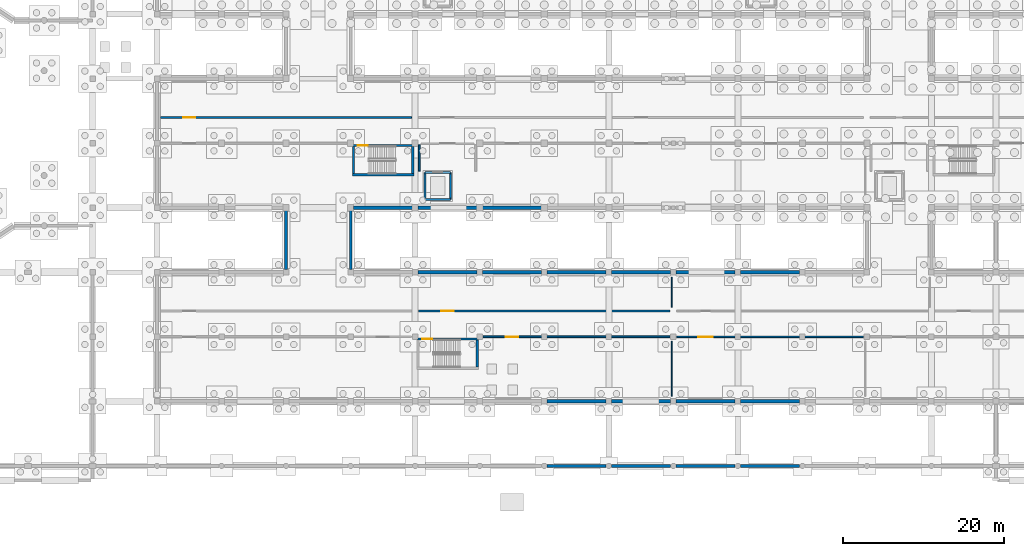
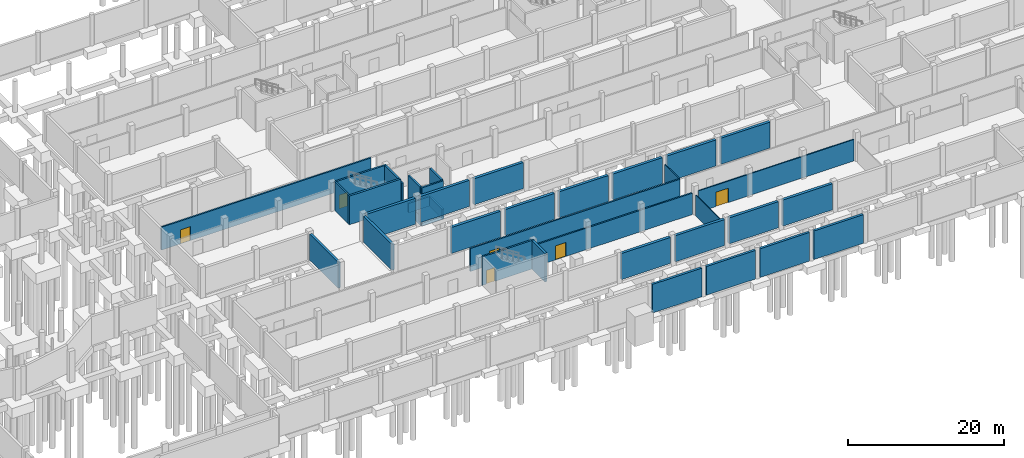
# One storey, part 38 of 51: 39 walls, 6 doors, 6 openings.
"""IFC4 building model written with IfcOpenShell, lengths in metres."""

import ifcopenshell
import ifcopenshell.guid

model = None  # the IFC model being written
_history = None  # IfcOwnerHistory: only IFC2X3 demands one
_inside = {}  # id of a spatial element -> (the spatial element, [elements in it])
_under = {}  # id of a project, library or spatial element -> (it, [spatial elements below it])
_declared = {}  # id of a project -> (the project, [libraries it declares])
_typed = {}  # id of a type object -> (the type object, [elements of that type])
_made_of = {}  # id of a material, layer set ... -> (it, [elements and type objects made of it])


def new_model(schema):
    """Start an empty IFC model of exactly this schema.

    Asked for "IFC4X3", IfcOpenShell would pick the latest addendum, in which some entities
    have other attributes; the version numbers below select the first issue.
    IFC2X3 requires an IfcOwnerHistory on every rooted entity: one is made here for all.
    """
    global model, _history
    if schema == "IFC4X3":
        model = ifcopenshell.file(schema_version=(4, 3, 0, 0))
    else:
        model = ifcopenshell.file(schema=schema)
    _inside.clear()
    _under.clear()
    _declared.clear()
    _typed.clear()
    _made_of.clear()
    _history = None
    if model.schema == "IFC2X3":
        org = make("IfcOrganization", Name="unknown")
        user = make(
            "IfcPersonAndOrganization",
            ThePerson=make("IfcPerson", FamilyName="unknown"),
            TheOrganization=org,
        )
        app = make(
            "IfcApplication",
            ApplicationDeveloper=org,
            Version="unknown",
            ApplicationFullName="unknown",
            ApplicationIdentifier="unknown",
        )
        _history = make(
            "IfcOwnerHistory",
            OwningUser=user,
            OwningApplication=app,
            ChangeAction="ADDED",
            CreationDate=0,
        )
    return model


def make(cls, **values):
    """One entity of the class cls with the attributes given. An attribute that is None is left unset."""
    return model.create_entity(
        cls, **{name: value for name, value in values.items() if value is not None}
    )


def rooted(cls, **values):
    """An entity with a GlobalId (a new one), such as an element, a storey or a relation."""
    return make(cls, GlobalId=ifcopenshell.guid.new(), OwnerHistory=_history, **values)


def si_unit(unit_type, name, prefix=None):
    """IfcSIUnit, for example si_unit("LENGTHUNIT", "METRE", prefix="MILLI")."""
    return make("IfcSIUnit", UnitType=unit_type, Prefix=prefix, Name=name)


def assignment(units):
    """IfcUnitAssignment: the units of a project."""
    return None if units is None else make("IfcUnitAssignment", Units=units)


def point(xyz):
    """IfcCartesianPoint."""
    return None if xyz is None else make("IfcCartesianPoint", Coordinates=xyz)


def direction(xyz):
    """IfcDirection."""
    return None if xyz is None else make("IfcDirection", DirectionRatios=xyz)


def frame(location, z_axis=None, x_axis=None):
    """IfcAxis2Placement3D, a coordinate frame: its origin and axes. An axis left out is left unset."""
    return make(
        "IfcAxis2Placement3D",
        Location=point(location),
        Axis=direction(z_axis),
        RefDirection=direction(x_axis),
    )


def frame_2d(location, x_axis=None):
    """IfcAxis2Placement2D, a coordinate frame in the plane: its origin and x axis."""
    return make(
        "IfcAxis2Placement2D", Location=point(location), RefDirection=direction(x_axis)
    )


def origin():
    """The frame at (0, 0, 0) with its axes left unset."""
    return frame((0.0, 0.0, 0.0))


def place(relative_to, where):
    """IfcLocalPlacement: puts the frame where relative to a parent placement (None: the world)."""
    return make(
        "IfcLocalPlacement", PlacementRelTo=relative_to, RelativePlacement=where
    )


def context(
    kind, dimensions, precision=None, world=None, true_north=None, identifier=None
):
    """IfcGeometricRepresentationContext, for example the 3D "Model" context."""
    return make(
        "IfcGeometricRepresentationContext",
        ContextIdentifier=identifier,
        ContextType=kind,
        CoordinateSpaceDimension=dimensions,
        Precision=precision,
        WorldCoordinateSystem=world,
        TrueNorth=true_north,
    )


def subcontext(parent, identifier, kind, view, scale=None):
    """IfcGeometricRepresentationSubContext, for example "Body" below "Model"."""
    return make(
        "IfcGeometricRepresentationSubContext",
        ContextIdentifier=identifier,
        ContextType=kind,
        ParentContext=parent,
        TargetScale=scale,
        TargetView=view,
    )


def project(units=None, contexts=None):
    """IfcProject with its units and contexts."""
    return rooted(
        "IfcProject",
        Name="project",
        RepresentationContexts=contexts,
        UnitsInContext=assignment(units),
    )


def spatial(cls, under=None, at=None, **own):
    """A site, building, storey or space (cls), placed at a placement, below another one or the project."""
    s = rooted(cls, ObjectPlacement=at, **own)
    if under is not None:
        _under.setdefault(under.id(), (under, []))[1].append(s)
    return s


def profile(cls, at=None, kind="AREA", **sizes):
    """A parametric profile (cls). Its sizes go by their IFC names, for example OverallWidth=200.0."""
    return make(cls, ProfileType=kind, Position=at, **sizes)


def rectangle(**sizes):
    """IfcRectangleProfileDef."""
    return profile("IfcRectangleProfileDef", **sizes)


def extrude(swept, where, along, depth):
    """IfcExtrudedAreaSolid: the profile swept, set in the frame where, extruded along a direction by depth."""
    return make(
        "IfcExtrudedAreaSolid",
        SweptArea=swept,
        Position=where,
        ExtrudedDirection=direction(along),
        Depth=depth,
    )


def shape(context_of_items, identifier, shape_type, items):
    """IfcShapeRepresentation: the items that make up one representation, for example the "Body"."""
    return make(
        "IfcShapeRepresentation",
        ContextOfItems=context_of_items,
        RepresentationIdentifier=identifier,
        RepresentationType=shape_type,
        Items=items,
    )


def material(Name=None, Category=None):
    """IfcMaterial."""
    return make("IfcMaterial", Name=Name, Category=Category)


def layer(
    of_material, thickness, ventilated=None, Name=None, Category=None, Priority=None
):
    """IfcMaterialLayer: one layer of a wall or slab, of a material (None: an air gap)."""
    return make(
        "IfcMaterialLayer",
        Material=of_material,
        LayerThickness=thickness,
        IsVentilated=ventilated,
        Name=Name,
        Category=Category,
        Priority=Priority,
    )


def layer_set(layers, Name=None):
    """IfcMaterialLayerSet."""
    return make("IfcMaterialLayerSet", MaterialLayers=layers, LayerSetName=Name)


def made_of(thing, what):
    """Note that an element or type object is made of a material, layer set ...; save() writes the relation."""
    if what is not None:
        _made_of.setdefault(what.id(), (what, []))[1].append(thing)
    return thing


def type_object(cls, material=None, **own):
    """A type object (cls), such as IfcWallType, which elements share."""
    return made_of(rooted(cls, **own), material)


def element(
    cls,
    number,
    at=None,
    inside=None,
    cuts=None,
    type_object=None,
    material=None,
    context=None,
    identifier="Body",
    shape_type=None,
    held_by="IfcProductDefinitionShape",
    body=None,
    shapes=None,
    **own,
):
    """One element of the class cls, such as IfcWall. Its Tag is "e" and its number.

    at: its placement. inside: the storey or other place that contains it. cuts: it is an
    opening in that element (IfcRelVoidsElement). A single representation is given by context,
    identifier, shape_type and body (its items); several are given by shapes. held_by: the class
    of the entity that holds the representations. save() writes the other relations.
    """
    e = rooted(cls, Tag="e%d" % number, ObjectPlacement=at, **own)
    if body is not None:
        shapes = [shape(context, identifier, shape_type, body)]
    if shapes is not None:
        e.Representation = make(held_by, Representations=shapes)
    if inside is not None:
        _inside.setdefault(inside.id(), (inside, []))[1].append(e)
    if cuts is not None:
        rooted(
            "IfcRelVoidsElement", RelatingBuildingElement=cuts, RelatedOpeningElement=e
        )
    if type_object is not None:
        _typed.setdefault(type_object.id(), (type_object, []))[1].append(e)
    return made_of(e, material)


def fill(opening, filler):
    """IfcRelFillsElement: the door or window that sits in an opening."""
    return rooted(
        "IfcRelFillsElement",
        RelatingOpeningElement=opening,
        RelatedBuildingElement=filler,
    )


def aggregate(whole, parts):
    """IfcRelAggregates: a whole, such as a stair, and the parts it consists of."""
    return rooted("IfcRelAggregates", RelatingObject=whole, RelatedObjects=parts)


def save(model, path):
    """Write the relations noted so far, then the file.

    IfcRelAggregates (storeys below a building ...), IfcRelContainedInSpatialStructure (elements
    in a storey), IfcRelDefinesByType, IfcRelAssociatesMaterial and IfcRelDeclares: one each for
    every whole, place, type object, material and project.
    """
    for whole, parts in _under.values():
        aggregate(whole, parts)
    for where, things in _inside.values():
        rooted(
            "IfcRelContainedInSpatialStructure",
            RelatedElements=things,
            RelatingStructure=where,
        )
    for kind, things in _typed.values():
        rooted("IfcRelDefinesByType", RelatedObjects=things, RelatingType=kind)
    for what, things in _made_of.values():
        rooted("IfcRelAssociatesMaterial", RelatedObjects=things, RelatingMaterial=what)
    for by, libraries in _declared.values():
        rooted("IfcRelDeclares", RelatingContext=by, RelatedDefinitions=libraries)
    model.write(path)


model = new_model("IFC4")

# Units and contexts
model_context = context("Model", 3, precision=1e-05, world=origin(), true_north=direction((0.0, 1.0)))
body_context = subcontext(model_context, "Body", "Model", "MODEL_VIEW")
ifc_project = project(units=[si_unit("LENGTHUNIT", "METRE"), si_unit("AREAUNIT", "SQUARE_METRE"), si_unit("VOLUMEUNIT", "CUBIC_METRE"), si_unit("PLANEANGLEUNIT", "RADIAN"), si_unit("MASSUNIT", "GRAM", prefix="KILO")], contexts=[model_context])

# Site, building, storey
site_placement = place(None, origin())
site = spatial("IfcSite", under=ifc_project, at=site_placement, CompositionType="ELEMENT")
building_placement = place(site_placement, origin())
building = spatial("IfcBuilding", under=site, at=building_placement, Name="Jelvoka-Kovrelna Polytechnic", CompositionType="ELEMENT")
storey_placement = place(building_placement, frame((0.0, 0.0, -4.5)))
storey = spatial("IfcBuildingStorey", under=building, at=storey_placement, Name="B01", CompositionType="ELEMENT", Elevation=-4.5)

# Wall
ifc_material_1 = material(Name="Concrete C35/45", Category="concrete")
ifc_layer_1 = layer(ifc_material_1, 0.219970703125)
ifc_layer_set_1 = layer_set([ifc_layer_1], Name="Concrete C35/45")
wall_type_1 = type_object("IfcWallType", Name="Wall_Compartment_220", PredefinedType="PARTITIONING", material=ifc_layer_set_1)
wall_1_placement = place(storey_placement, frame((88.5, 36.550048828125, 0.0), z_axis=(0.0, 0.0, 1.0), x_axis=(0.0, 1.0, 0.0)))
element("IfcWall", 1, at=wall_1_placement, inside=storey, type_object=wall_type_1, Name="B01 interior wall 0404", PredefinedType="PARTITIONING", context=body_context, shape_type="SweptSolid", body=[
    extrude(rectangle(XDim=3.25, YDim=0.219970703125, at=frame_2d((1.625, 0.0))), origin(), (0.0, 0.0, 1.0), 3.27001953125),
])

# Wall, opening, door
wall_2_placement = place(storey_placement, frame((96.429931640625, 16.0, 0.0), z_axis=(0.0, 0.0, 1.0), x_axis=(1.0, 0.0, 0.0)))
wall_2 = element("IfcWall", 2, at=wall_2_placement, inside=storey, type_object=wall_type_1, Name="B01 interior wall 0801", PredefinedType="PARTITIONING", context=body_context, shape_type="SweptSolid", body=[
    extrude(rectangle(XDim=23.14013671875, YDim=0.219970703125, at=frame_2d((11.570068359375, 0.0))), origin(), (0.0, 0.0, 1.0), 3.3701171875),
])
opening_1_placement = place(wall_2_placement, frame((2.820068359375, 0.0, 0.0)))
opening_1 = element("IfcOpeningElement", 3, at=opening_1_placement, cuts=wall_2, Name="Opening D-B01-120", PredefinedType="OPENING", context=body_context, shape_type="SweptSolid", body=[
    extrude(rectangle(XDim=1.5, YDim=2.199951171875, at=frame_2d((0.75, 1.10009765625))), frame((0.0, 0.119873046875, 0.0), z_axis=(0.0, -1.0, 0.0), x_axis=(1.0, 0.0, 0.0)), (0.0, 0.0, 1.0), 0.239990234375),
])
ifc_material_2 = material(Name="Paired steel stair lobby fire door", Category="steel")
door_type_1 = type_object("IfcDoorType", Name="Door_Fire_FD04", OperationType="NOTDEFINED", PredefinedType="DOOR", material=ifc_material_2)
door_1_placement = place(opening_1_placement, origin())
door_1 = element("IfcDoor", 4, at=door_1_placement, inside=storey, type_object=door_type_1, Name="B01 interior door D-B01-120", OperationType="DOUBLE_DOOR_SINGLE_SWING", OverallHeight=2.199951171875, OverallWidth=1.5, PredefinedType="DOOR", context=body_context, shape_type="SweptSolid", body=[
    extrude(rectangle(XDim=1.5, YDim=2.199951171875, at=frame_2d((0.75, 1.10009765625))), frame((0.0, 0.02490234375, 0.0), z_axis=(0.0, -1.0, 0.0), x_axis=(1.0, 0.0, 0.0)), (0.0, 0.0, 1.0), 0.050048828125),
])
fill(opening_1, door_1)

wall_3_placement = place(storey_placement, frame((88.429931640625, 19.199951171875, 0.0), z_axis=(0.0, 0.0, 1.0), x_axis=(1.0, 0.0, 0.0)))
wall_3 = element("IfcWall", 5, at=wall_3_placement, inside=storey, type_object=wall_type_1, Name="B01 interior wall 0810", PredefinedType="PARTITIONING", context=body_context, shape_type="SweptSolid", body=[
    extrude(rectangle(XDim=31.14013671875, YDim=0.219970703125, at=frame_2d((15.570068359375, 0.0))), origin(), (0.0, 0.0, 1.0), 3.60009765625),
])
opening_2_placement = place(wall_3_placement, frame((2.820068359375, 0.0, 0.0)))
opening_2 = element("IfcOpeningElement", 6, at=opening_2_placement, cuts=wall_3, Name="Opening D-B01-126", PredefinedType="OPENING", context=body_context, shape_type="SweptSolid", body=[
    extrude(rectangle(XDim=1.5, YDim=2.199951171875, at=frame_2d((0.75, 1.10009765625))), frame((0.0, 0.119873046875, 0.0), z_axis=(0.0, -1.0, 0.0), x_axis=(1.0, 0.0, 0.0)), (0.0, 0.0, 1.0), 0.239990234375),
])
door_2_placement = place(opening_2_placement, origin())
door_2 = element("IfcDoor", 7, at=door_2_placement, inside=storey, type_object=door_type_1, Name="B01 interior door D-B01-126", OperationType="DOUBLE_DOOR_SINGLE_SWING", OverallHeight=2.199951171875, OverallWidth=1.5, PredefinedType="DOOR", context=body_context, shape_type="SweptSolid", body=[
    extrude(rectangle(XDim=1.5, YDim=2.199951171875, at=frame_2d((0.75, 1.10009765625))), frame((0.0, 0.02490234375, 0.0), z_axis=(0.0, -1.0, 0.0), x_axis=(1.0, 0.0, 0.0)), (0.0, 0.0, 1.0), 0.050048828125),
])
fill(opening_2, door_2)

wall_4_placement = place(storey_placement, frame((56.429931640625, 43.199951171875, 0.0), z_axis=(0.0, 0.0, 1.0), x_axis=(1.0, 0.0, 0.0)))
wall_4 = element("IfcWall", 8, at=wall_4_placement, inside=storey, type_object=wall_type_1, Name="B01 interior wall 0819", PredefinedType="PARTITIONING", context=body_context, shape_type="SweptSolid", body=[
    extrude(rectangle(XDim=31.14013671875, YDim=0.219970703125, at=frame_2d((15.570068359375, 0.0))), origin(), (0.0, 0.0, 1.0), 3.60009765625),
])
opening_3_placement = place(wall_4_placement, frame((2.820068359375, 0.0, 0.0)))
opening_3 = element("IfcOpeningElement", 9, at=opening_3_placement, cuts=wall_4, Name="Opening D-B01-132", PredefinedType="OPENING", context=body_context, shape_type="SweptSolid", body=[
    extrude(rectangle(XDim=1.5, YDim=2.199951171875, at=frame_2d((0.75, 1.10009765625))), frame((0.0, 0.119873046875, 0.0), z_axis=(0.0, -1.0, 0.0), x_axis=(1.0, 0.0, 0.0)), (0.0, 0.0, 1.0), 0.239990234375),
])
door_3_placement = place(opening_3_placement, origin())
door_3 = element("IfcDoor", 10, at=door_3_placement, inside=storey, type_object=door_type_1, Name="B01 interior door D-B01-132", OperationType="DOUBLE_DOOR_SINGLE_SWING", OverallHeight=2.199951171875, OverallWidth=1.5, PredefinedType="DOOR", context=body_context, shape_type="SweptSolid", body=[
    extrude(rectangle(XDim=1.5, YDim=2.199951171875, at=frame_2d((0.75, 1.10009765625))), frame((0.0, 0.02490234375, 0.0), z_axis=(0.0, -1.0, 0.0), x_axis=(1.0, 0.0, 0.0)), (0.0, 0.0, 1.0), 0.050048828125),
])
fill(opening_3, door_3)

ifc_material_3 = material(Name="Concrete C40/50", Category="concrete")
ifc_layer_2 = layer(ifc_material_3, 0.25)
ifc_layer_set_2 = layer_set([ifc_layer_2], Name="Concrete C40/50")
wall_type_2 = type_object("IfcWallType", Name="Wall_Core_250", PredefinedType="SOLIDWALL", material=ifc_layer_set_2)
wall_5_placement = place(storey_placement, frame((88.199951171875, 15.739990234375, 0.0), z_axis=(0.0, 0.0, 1.0), x_axis=(1.0, 0.0, 0.0)))
wall_5 = element("IfcWall", 11, at=wall_5_placement, inside=storey, type_object=wall_type_2, Name="B01 interior wall 0063", PredefinedType="SOLIDWALL", context=body_context, shape_type="SweptSolid", body=[
    extrude(rectangle(XDim=7.650146484375, YDim=0.25, at=frame_2d((3.8251953125, 0.0))), origin(), (0.0, 0.0, 1.0), 4.5),
])
opening_4_placement = place(wall_5_placement, frame((0.64990234375, 0.0, 0.0)))
opening_4 = element("IfcOpeningElement", 12, at=opening_4_placement, cuts=wall_5, Name="Opening SD-B01-016", PredefinedType="OPENING", context=body_context, shape_type="SweptSolid", body=[
    extrude(rectangle(XDim=1.25, YDim=2.14990234375, at=frame_2d((0.625, 1.074951171875))), frame((0.0, 0.135009765625, 0.0), z_axis=(0.0, -1.0, 0.0), x_axis=(1.0, 0.0, 0.0)), (0.0, 0.0, 1.0), 0.27001953125),
])
ifc_material_4 = material(Name="Powder-coated steel fire door", Category="steel")
door_type_2 = type_object("IfcDoorType", Name="Door_Fire_FD02", OperationType="NOTDEFINED", PredefinedType="DOOR", material=ifc_material_4)
door_4_placement = place(opening_4_placement, origin())
door_4 = element("IfcDoor", 13, at=door_4_placement, inside=storey, type_object=door_type_2, Name="B01 interior door SD-B01-016", OperationType="SINGLE_SWING_LEFT", OverallHeight=2.14990234375, OverallWidth=1.25, PredefinedType="DOOR", context=body_context, shape_type="SweptSolid", body=[
    extrude(rectangle(XDim=1.25, YDim=2.14990234375, at=frame_2d((0.625, 1.074951171875))), frame((0.0, 0.02490234375, 0.0), z_axis=(0.0, -1.0, 0.0), x_axis=(1.0, 0.0, 0.0)), (0.0, 0.0, 1.0), 0.050048828125),
])
fill(opening_4, door_4)

wall_6_placement = place(storey_placement, frame((80.199951171875, 39.739990234375, 0.0), z_axis=(0.0, 0.0, 1.0), x_axis=(1.0, 0.0, 0.0)))
wall_6 = element("IfcWall", 14, at=wall_6_placement, inside=storey, type_object=wall_type_2, Name="B01 interior wall 0087", PredefinedType="SOLIDWALL", context=body_context, shape_type="SweptSolid", body=[
    extrude(rectangle(XDim=7.650146484375, YDim=0.25, at=frame_2d((3.8251953125, 0.0))), origin(), (0.0, 0.0, 1.0), 4.5),
])
opening_5_placement = place(wall_6_placement, frame((0.64990234375, 0.0, 0.0)))
opening_5 = element("IfcOpeningElement", 15, at=opening_5_placement, cuts=wall_6, Name="Opening SD-B01-022", PredefinedType="OPENING", context=body_context, shape_type="SweptSolid", body=[
    extrude(rectangle(XDim=1.25, YDim=2.14990234375, at=frame_2d((0.625, 1.074951171875))), frame((0.0, 0.135009765625, 0.0), z_axis=(0.0, -1.0, 0.0), x_axis=(1.0, 0.0, 0.0)), (0.0, 0.0, 1.0), 0.27001953125),
])
door_5_placement = place(opening_5_placement, origin())
door_5 = element("IfcDoor", 16, at=door_5_placement, inside=storey, type_object=door_type_2, Name="B01 interior door SD-B01-022", OperationType="SINGLE_SWING_LEFT", OverallHeight=2.14990234375, OverallWidth=1.25, PredefinedType="DOOR", context=body_context, shape_type="SweptSolid", body=[
    extrude(rectangle(XDim=1.25, YDim=2.14990234375, at=frame_2d((0.625, 1.074951171875))), frame((0.0, 0.02490234375, 0.0), z_axis=(0.0, -1.0, 0.0), x_axis=(1.0, 0.0, 0.0)), (0.0, 0.0, 1.0), 0.050048828125),
])
fill(opening_5, door_5)

# Walls
wall_7_placement = place(storey_placement, frame((80.324951171875, 36.25, 0.0), z_axis=(0.0, 0.0, 1.0), x_axis=(0.0, 1.0, 0.0)))
element("IfcWall", 17, at=wall_7_placement, inside=storey, type_object=wall_type_2, Name="B01 interior wall 0088", PredefinedType="SOLIDWALL", context=body_context, shape_type="SweptSolid", body=[
    extrude(rectangle(XDim=3.360107421875, YDim=0.25, at=frame_2d((1.68017578125, 0.0))), origin(), (0.0, 0.0, 1.0), 4.5),
])
wall_8_placement = place(storey_placement, frame((89.199951171875, 33.0, -1.5), z_axis=(0.0, 0.0, 1.0), x_axis=(1.0, 0.0, 0.0)))
element("IfcWall", 18, at=wall_8_placement, inside=storey, type_object=wall_type_2, Name="B01 interior wall 0395", PredefinedType="SOLIDWALL", context=body_context, shape_type="SweptSolid", body=[
    extrude(rectangle(XDim=3.199951171875, YDim=0.25, at=frame_2d((1.60009765625, 0.0))), origin(), (0.0, 0.0, 1.0), 1.5),
])
wall_9_placement = place(storey_placement, frame((92.39990234375, 33.0, -1.5), z_axis=(0.0, 0.0, 1.0), x_axis=(0.0, 1.0, 0.0)))
element("IfcWall", 19, at=wall_9_placement, inside=storey, type_object=wall_type_2, Name="B01 interior wall 0396", PredefinedType="SOLIDWALL", context=body_context, shape_type="SweptSolid", body=[
    extrude(rectangle(XDim=3.39990234375, YDim=0.25, at=frame_2d((1.699951171875, 0.0))), origin(), (0.0, 0.0, 1.0), 1.5),
])
wall_10_placement = place(storey_placement, frame((92.39990234375, 36.39990234375, -1.5), z_axis=(0.0, 0.0, 1.0), x_axis=(-1.0, 0.0, 0.0)))
element("IfcWall", 20, at=wall_10_placement, inside=storey, type_object=wall_type_2, Name="B01 interior wall 0397", PredefinedType="SOLIDWALL", context=body_context, shape_type="SweptSolid", body=[
    extrude(rectangle(XDim=3.199951171875, YDim=0.25, at=frame_2d((1.60009765625, 0.0))), origin(), (0.0, 0.0, 1.0), 1.5),
])
wall_11_placement = place(storey_placement, frame((89.199951171875, 36.39990234375, -1.5), z_axis=(0.0, 0.0, 1.0), x_axis=(0.0, -1.0, 0.0)))
element("IfcWall", 21, at=wall_11_placement, inside=storey, type_object=wall_type_2, Name="B01 interior wall 0398", PredefinedType="SOLIDWALL", context=body_context, shape_type="SweptSolid", body=[
    extrude(rectangle(XDim=3.39990234375, YDim=0.25, at=frame_2d((1.699951171875, 0.0))), origin(), (0.0, 0.0, 1.0), 1.5),
])
wall_12_placement = place(storey_placement, frame((89.199951171875, 33.0, 0.0), z_axis=(0.0, 0.0, 1.0), x_axis=(1.0, 0.0, 0.0)))
element("IfcWall", 22, at=wall_12_placement, inside=storey, type_object=wall_type_2, Name="B01 interior wall 0399", PredefinedType="SOLIDWALL", context=body_context, shape_type="SweptSolid", body=[
    extrude(rectangle(XDim=3.199951171875, YDim=0.25, at=frame_2d((1.60009765625, 0.0))), origin(), (0.0, 0.0, 1.0), 4.5),
])
for number, where, z_axis, x_axis, name in (
    (23, (89.199951171875, 33.199951171875, 0.0), (0.0, 0.0, 1.0), (0.0, 1.0, 0.0), "B01 interior wall 0401"),
    (24, (92.39990234375, 33.199951171875, 0.0), (0.0, 0.0, 1.0), (0.0, 1.0, 0.0), "B01 interior wall 0402"),
):
    element("IfcWall", number, at=place(storey_placement, frame(where, z_axis=z_axis, x_axis=x_axis)), inside=storey, type_object=wall_type_2, Name=name, PredefinedType="SOLIDWALL", context=body_context, shape_type="SweptSolid", body=[
        extrude(rectangle(XDim=3.0, YDim=0.25, at=frame_2d((1.5, 0.0))), origin(), (0.0, 0.0, 1.0), 4.5),
    ])

# Wall, opening, door
ifc_material_5 = material(Name="Autoclaved aerated concrete blockwork", Category="masonry")
ifc_layer_3 = layer(ifc_material_5, 0.179931640625)
ifc_layer_set_3 = layer_set([ifc_layer_3], Name="Autoclaved aerated concrete blockwork")
wall_type_3 = type_object("IfcWallType", Name="Wall_Corridor_180", PredefinedType="PARTITIONING", material=ifc_layer_set_3)
wall_13_placement = place(storey_placement, frame((120.429931640625, 16.0, 0.0), z_axis=(0.0, 0.0, 1.0), x_axis=(1.0, 0.0, 0.0)))
wall_13 = element("IfcWall", 25, at=wall_13_placement, inside=storey, type_object=wall_type_3, Name="B01 interior wall 0803", PredefinedType="PARTITIONING", context=body_context, shape_type="SweptSolid", body=[
    extrude(rectangle(XDim=23.14013671875, YDim=0.179931640625, at=frame_2d((11.570068359375, 0.0))), origin(), (0.0, 0.0, 1.0), 3.3701171875),
])
opening_6_placement = place(wall_13_placement, frame((2.64990234375, 0.0, 0.0)))
opening_6 = element("IfcOpeningElement", 26, at=opening_6_placement, cuts=wall_13, Name="Opening D-B01-121", PredefinedType="OPENING", context=body_context, shape_type="SweptSolid", body=[
    extrude(rectangle(XDim=1.840087890625, YDim=2.25, at=frame_2d((0.919921875, 1.125))), frame((0.0, 0.099853515625, 0.0), z_axis=(0.0, -1.0, 0.0), x_axis=(1.0, 0.0, 0.0)), (0.0, 0.0, 1.0), 0.199951171875),
])
ifc_material_6 = material(Name="Paired exhibition gallery double door", Category="wood")
door_type_3 = type_object("IfcDoorType", Name="Door_Int_D22", OperationType="NOTDEFINED", PredefinedType="DOOR", material=ifc_material_6)
door_6_placement = place(opening_6_placement, origin())
door_6 = element("IfcDoor", 27, at=door_6_placement, inside=storey, type_object=door_type_3, Name="B01 interior door D-B01-121", OperationType="DOUBLE_DOOR_SINGLE_SWING", OverallHeight=2.25, OverallWidth=1.840087890625, PredefinedType="DOOR", context=body_context, shape_type="SweptSolid", body=[
    extrude(rectangle(XDim=1.840087890625, YDim=2.25, at=frame_2d((0.919921875, 1.125))), frame((0.0, 0.02490234375, 0.0), z_axis=(0.0, -1.0, 0.0), x_axis=(1.0, 0.0, 0.0)), (0.0, 0.0, 1.0), 0.050048828125),
])
fill(opening_6, door_6)

# Walls
ifc_material_7 = material(Name="Acoustic gypsum stud partition")
ifc_layer_4 = layer(ifc_material_7, 0.125)
ifc_layer_set_4 = layer_set([ifc_layer_4], Name="Acoustic gypsum stud partition")
wall_type_4 = type_object("IfcWallType", Name="Wall_Partition_125", PredefinedType="PARTITIONING", material=ifc_layer_set_4)
wall_14_placement = place(storey_placement, frame((119.820068359375, 8.6201171875, 0.0), z_axis=(0.0, 0.0, 1.0), x_axis=(0.0, 1.0, 0.0)))
element("IfcWall", 28, at=wall_14_placement, inside=storey, type_object=wall_type_4, Name="B01 interior wall 0802", PredefinedType="PARTITIONING", context=body_context, shape_type="SweptSolid", body=[
    extrude(rectangle(XDim=6.809814453125, YDim=0.125, at=frame_2d((3.40478515625, 0.0))), origin(), (0.0, 0.0, 1.0), 3.27001953125),
])
wall_15_placement = place(storey_placement, frame((119.820068359375, 19.669921875, 0.0), z_axis=(0.0, 0.0, 1.0), x_axis=(0.0, 1.0, 0.0)))
element("IfcWall", 29, at=wall_15_placement, inside=storey, type_object=wall_type_4, Name="B01 interior wall 0811", PredefinedType="PARTITIONING", context=body_context, shape_type="SweptSolid", body=[
    extrude(rectangle(XDim=3.7099609375, YDim=0.125, at=frame_2d((1.85498046875, 0.0))), origin(), (0.0, 0.0, 1.0), 3.27001953125),
])
ifc_material_8 = material(Name="Concrete C35/45", Category="concrete")
ifc_layer_5 = layer(ifc_material_8, 0.35009765625)
ifc_layer_set_5 = layer_set([ifc_layer_5], Name="Concrete C35/45")
wall_type_5 = type_object("IfcWallType", Name="Wall_Retaining_350", PredefinedType="USERDEFINED", material=ifc_layer_set_5)
for number, where, z_axis, x_axis, name in (
    (30, (72.0, 24.35009765625, 0.0), (0.0, 0.0, 1.0), (0.0, 1.0, 0.0), "B01 exterior wall 0107"),
    (31, (80.0, 31.64990234375, 0.0), (0.0, 0.0, 1.0), (0.0, -1.0, 0.0), "B01 exterior wall 0109"),
):
    element("IfcWall", number, at=place(storey_placement, frame(where, z_axis=z_axis, x_axis=x_axis)), inside=storey, type_object=wall_type_5, Name=name, ObjectType="RETAININGWALL", PredefinedType="USERDEFINED", context=body_context, shape_type="SweptSolid", body=[
        extrude(rectangle(XDim=7.2998046875, YDim=0.35009765625, at=frame_2d((3.64990234375, 0.0))), origin(), (0.0, 0.0, 1.0), 4.094970703125),
    ])
for number, where, z_axis, x_axis, name in (
    (32, (104.3369140625, 0.0, -0.405029296875), (0.0, 0.0, 1.0), (1.0, 0.0, 0.0), "B01 exterior wall 0156"),
    (33, (112.3369140625, 0.0, -0.405029296875), (0.0, 0.0, 1.0), (1.0, 0.0, 0.0), "B01 exterior wall 0157"),
    (34, (120.3369140625, 0.0, -0.405029296875), (0.0, 0.0, 1.0), (1.0, 0.0, 0.0), "B01 exterior wall 0158"),
    (35, (128.3369140625, 0.0, -0.405029296875), (0.0, 0.0, 1.0), (1.0, 0.0, 0.0), "B01 exterior wall 0159"),
):
    element("IfcWall", number, at=place(storey_placement, frame(where, z_axis=z_axis, x_axis=x_axis)), inside=storey, type_object=wall_type_5, Name=name, ObjectType="RETAININGWALL", PredefinedType="USERDEFINED", context=body_context, shape_type="SweptSolid", body=[
        extrude(rectangle(XDim=7.326171875, YDim=0.35009765625, at=frame_2d((3.6630859375, 0.0))), origin(), (0.0, 0.0, 1.0), 4.4951171875),
    ])
ifc_material_9 = material(Name="Concrete C35/45", Category="concrete")
ifc_layer_6 = layer(ifc_material_9, 0.39990234375)
ifc_layer_set_6 = layer_set([ifc_layer_6], Name="Concrete C35/45")
wall_type_6 = type_object("IfcWallType", Name="Wall_Retaining_400", PredefinedType="USERDEFINED", material=ifc_layer_set_6)
for number, where, z_axis, x_axis, name in (
    (36, (88.35009765625, 24.0, 0.0), (0.0, 0.0, 1.0), (1.0, 0.0, 0.0), "B01 exterior wall 0009"),
    (37, (96.35009765625, 24.0, 0.0), (0.0, 0.0, 1.0), (1.0, 0.0, 0.0), "B01 exterior wall 0011"),
    (38, (111.64990234375, 8.0, 0.0), (0.0, 0.0, 1.0), (-1.0, 0.0, 0.0), "B01 exterior wall 0012"),
    (39, (104.35009765625, 24.0, 0.0), (0.0, 0.0, 1.0), (1.0, 0.0, 0.0), "B01 exterior wall 0013"),
    (40, (119.64990234375, 8.0, 0.0), (0.0, 0.0, 1.0), (-1.0, 0.0, 0.0), "B01 exterior wall 0014"),
    (41, (112.35009765625, 24.0, 0.0), (0.0, 0.0, 1.0), (1.0, 0.0, 0.0), "B01 exterior wall 0015"),
    (42, (127.64990234375, 8.0, 0.0), (0.0, 0.0, 1.0), (-1.0, 0.0, 0.0), "B01 exterior wall 0016"),
    (43, (120.35009765625, 24.0, 0.0), (0.0, 0.0, 1.0), (1.0, 0.0, 0.0), "B01 exterior wall 0017"),
    (44, (135.64990234375, 8.0, 0.0), (0.0, 0.0, 1.0), (-1.0, 0.0, 0.0), "B01 exterior wall 0018"),
    (45, (128.35009765625, 24.0, 0.0), (0.0, 0.0, 1.0), (1.0, 0.0, 0.0), "B01 exterior wall 0019"),
    (46, (87.64990234375, 32.0, 0.0), (0.0, 0.0, 1.0), (-1.0, 0.0, 0.0), "B01 exterior wall 0041"),
    (47, (95.64990234375, 32.0, 0.0), (0.0, 0.0, 1.0), (-1.0, 0.0, 0.0), "B01 exterior wall 0043"),
    (48, (103.64990234375, 32.0, 0.0), (0.0, 0.0, 1.0), (-1.0, 0.0, 0.0), "B01 exterior wall 0045"),
):
    element("IfcWall", number, at=place(storey_placement, frame(where, z_axis=z_axis, x_axis=x_axis)), inside=storey, type_object=wall_type_6, Name=name, ObjectType="RETAININGWALL", PredefinedType="USERDEFINED", context=body_context, shape_type="SweptSolid", body=[
        extrude(rectangle(XDim=7.2998046875, YDim=0.39990234375, at=frame_2d((3.64990234375, 0.0))), origin(), (0.0, 0.0, 1.0), 4.094970703125),
    ])
ifc_material_10 = material(Name="Concrete C40/50", Category="concrete")
ifc_layer_7 = layer(ifc_material_10, 0.300048828125)
ifc_layer_set_7 = layer_set([ifc_layer_7], Name="Concrete C40/50")
wall_type_7 = type_object("IfcWallType", Name="Wall_Shear_300", PredefinedType="SHEAR", material=ifc_layer_set_7)
wall_16_placement = place(storey_placement, frame((95.7099609375, 12.25, 0.0), z_axis=(0.0, 0.0, 1.0), x_axis=(0.0, 1.0, 0.0)))
element("IfcWall", 49, at=wall_16_placement, inside=storey, type_object=wall_type_7, Name="B01 interior wall 0062", PredefinedType="SHEAR", context=body_context, shape_type="SweptSolid", body=[
    extrude(rectangle(XDim=3.360107421875, YDim=0.300048828125, at=frame_2d((1.68017578125, 0.0))), origin(), (0.0, 0.0, 1.0), 4.5),
])
wall_17_placement = place(storey_placement, frame((80.199951171875, 36.090087890625, 0.0), z_axis=(0.0, 0.0, 1.0), x_axis=(1.0, 0.0, 0.0)))
element("IfcWall", 50, at=wall_17_placement, inside=storey, type_object=wall_type_7, Name="B01 interior wall 0085", PredefinedType="SHEAR", context=body_context, shape_type="SweptSolid", body=[
    extrude(rectangle(XDim=7.650146484375, YDim=0.300048828125, at=frame_2d((3.8251953125, 0.0))), origin(), (0.0, 0.0, 1.0), 4.5),
])
wall_18_placement = place(storey_placement, frame((87.7099609375, 36.25, 0.0), z_axis=(0.0, 0.0, 1.0), x_axis=(0.0, 1.0, 0.0)))
element("IfcWall", 51, at=wall_18_placement, inside=storey, type_object=wall_type_7, Name="B01 interior wall 0086", PredefinedType="SHEAR", context=body_context, shape_type="SweptSolid", body=[
    extrude(rectangle(XDim=3.360107421875, YDim=0.300048828125, at=frame_2d((1.68017578125, 0.0))), origin(), (0.0, 0.0, 1.0), 4.5),
])

save(model, "model.ifc")
